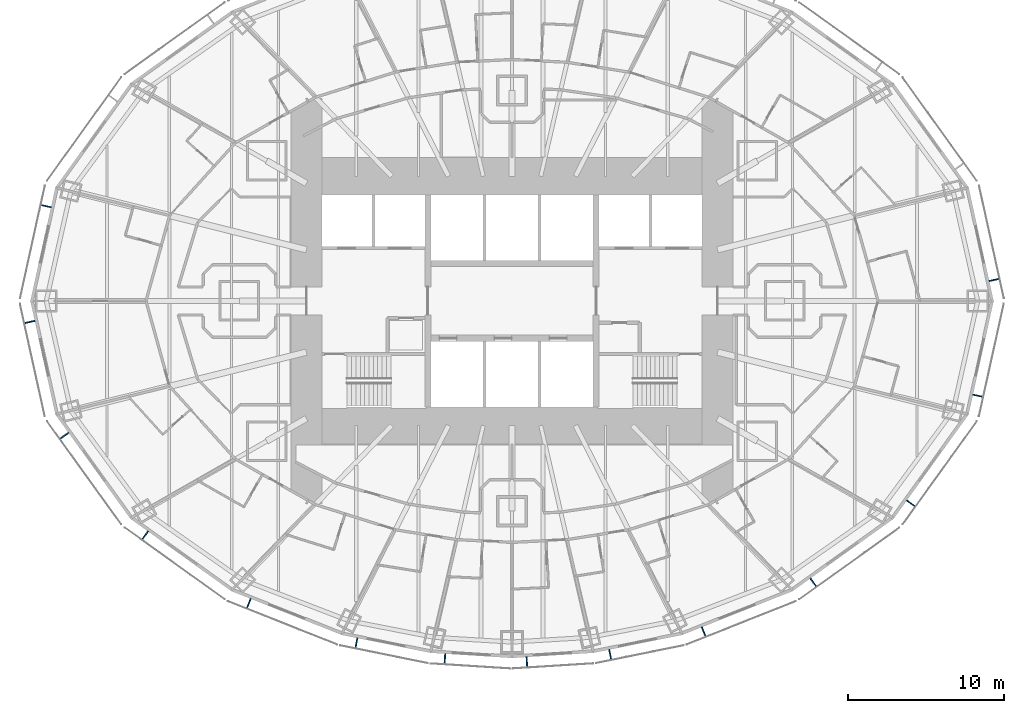
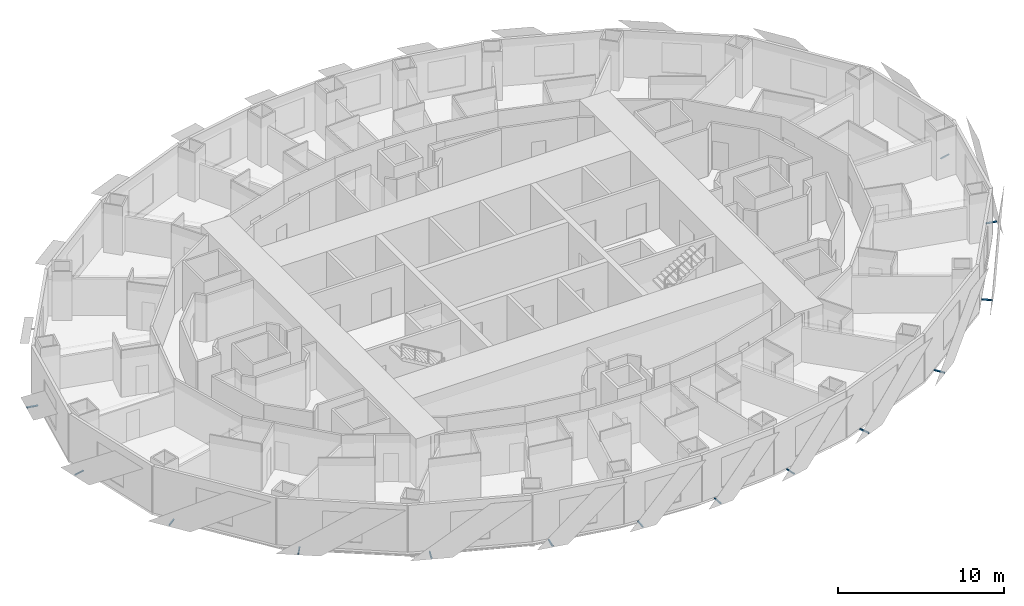
# One storey, part 12 of 17: 14 discrete accessories.
"""IFC4 building model written with IfcOpenShell, lengths in metres."""

from ifc_helpers import new_model, si_unit, direction, frame, origin, origin_2d, place, context, subcontext, project, spatial, rectangle, extrude, element, save


model = new_model("IFC4")

# Units and contexts
model_context = context("Model", 3, precision=1e-05, world=origin(), true_north=direction((0.0, 1.0)))
body_context = subcontext(model_context, "Body", "Model", "MODEL_VIEW")
ifc_project = project(units=[si_unit("LENGTHUNIT", "METRE"), si_unit("AREAUNIT", "SQUARE_METRE"), si_unit("VOLUMEUNIT", "CUBIC_METRE"), si_unit("PLANEANGLEUNIT", "RADIAN"), si_unit("MASSUNIT", "GRAM", prefix="KILO")], contexts=[model_context])

# Site, building, storey
site_placement = place(None, origin())
site = spatial("IfcSite", under=ifc_project, at=site_placement, CompositionType="ELEMENT")
building_placement = place(site_placement, origin())
building = spatial("IfcBuilding", under=site, at=building_placement, Name="Lantaw Convention Tower", CompositionType="ELEMENT")
storey_placement = place(building_placement, frame((0.0, 0.0, 40.60009765625)))
storey = spatial("IfcBuildingStorey", under=building, at=storey_placement, Name="L07", CompositionType="ELEMENT", Elevation=40.60009765625)

# Discrete accessories
for number, where, z_axis, x_axis, name in (
    (1, (30.967529296875, 1.35009765625, -0.115234375), (0.0, 0.0, 1.0), (-0.215246056391, 0.976559847223, 0.0), "Screen bracket"),
    (2, (-29.92333984375, 6.087890625, -0.115234375), (0.0, 0.0, 1.0), (-0.215246056391, -0.976559847223, 0.0), "Screen bracket"),
    (3, (-30.967529296875, -1.35009765625, -0.115234375), (0.0, 0.0, 1.0), (0.215246056391, -0.976559847223, 0.0), "Screen bracket"),
    (4, (-28.745849609375, -8.65869140625, -0.115234375), (0.0, 0.0, 1.0), (0.583951250436, -0.811788726895, 0.0), "Screen bracket"),
    (5, (-23.564453125, -15.06640625, -0.115234375), (0.0, 0.0, 1.0), (0.812803733199, -0.5825376308, 0.0), "Screen bracket"),
    (6, (-16.898193359375, -19.4345703125, -0.115234375), (0.0, 0.0, 1.0), (0.929361152748, -0.369171840425, 0.0), "Screen bracket"),
    (7, (-9.990478515625, -21.974365234375, -0.115234375), (0.0, 0.0, 1.0), (0.980244604501, -0.197789067813, 0.0), "Screen bracket"),
    (8, (-4.310302734375, -22.987548828125, -0.115234375), (0.0, 0.0, 1.0), (0.998016153807, -0.062958373078, 0.0), "Screen bracket"),
    (9, (0.9560546875, -23.19921875, -0.115234375), (0.0, 0.0, 1.0), (0.998016153807, 0.062958373078, 0.0), "Screen bracket"),
    (10, (6.307861328125, -22.71728515625, -0.115234375), (0.0, 0.0, 1.0), (0.980244604501, 0.197789067813, 0.0), "Screen bracket"),
    (11, (12.309814453125, -21.25732421875, -0.115234375), (0.0, 0.0, 1.0), (0.929361152748, 0.369171840425, 0.0), "Screen bracket"),
    (12, (19.352294921875, -18.085205078125, -0.115234375), (0.0, 0.0, 1.0), (0.812803733199, 0.5825376308, 0.0), "Screen bracket"),
    (13, (25.61962890625, -13.004638671875, -0.115234375), (0.0, 0.0, 1.0), (0.583951250436, 0.811788726895, 0.0), "Screen bracket"),
    (14, (29.92333984375, -6.087890625, -0.115234375), (0.0, 0.0, 1.0), (0.215246056391, 0.976559847223, 0.0), "Screen bracket"),
):
    element("IfcDiscreteAccessory", number, at=place(storey_placement, frame(where, z_axis=z_axis, x_axis=x_axis)), inside=storey, Name=name, PredefinedType="BRACKET", context=body_context, shape_type="SweptSolid", body=[
        extrude(rectangle(XDim=0.080078125, YDim=0.68798828125, at=origin_2d()), origin(), (0.0, 0.0, 1.0), 0.080078125),
    ])

save(model, "model.ifc")
